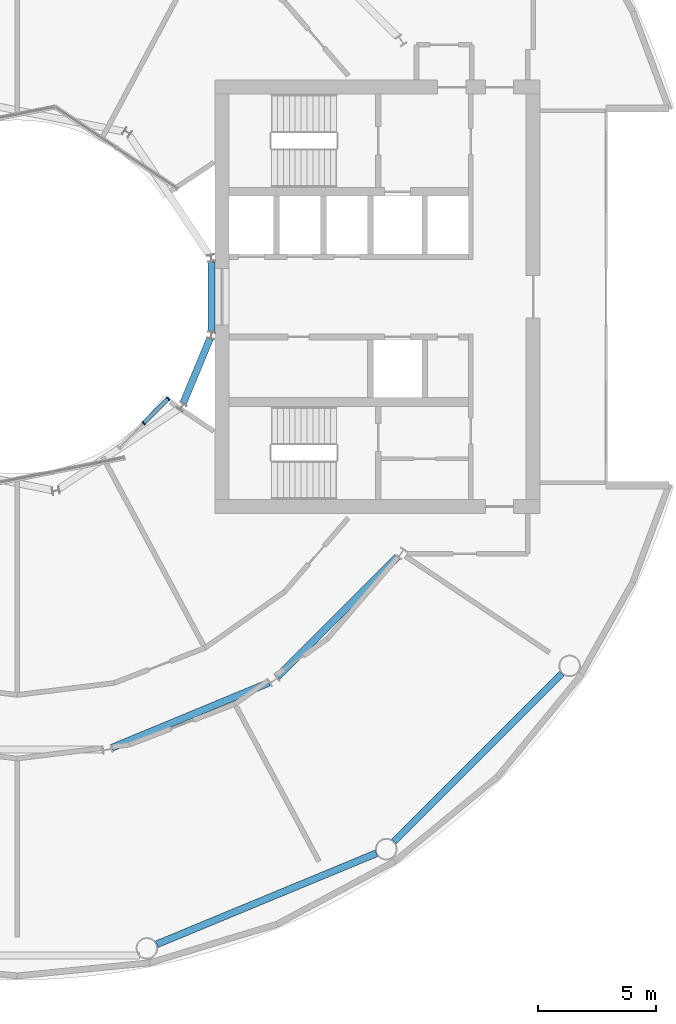
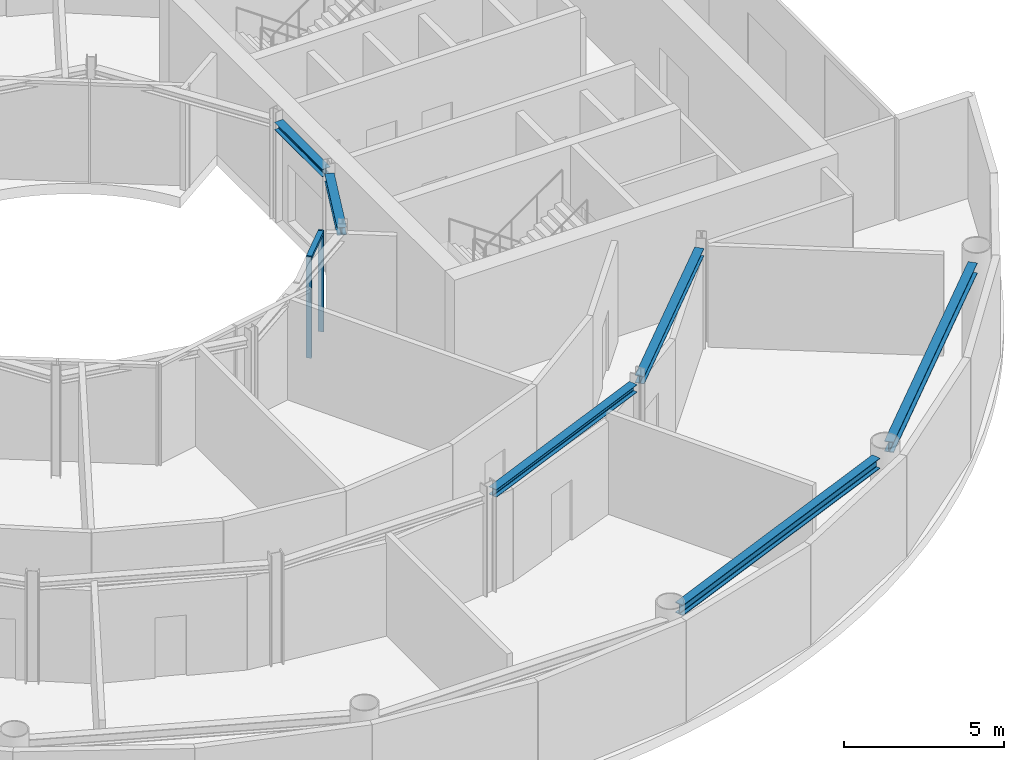
# One storey, part 7 of 18: 6 beams, 3 members, 1 element without a shape of its own.
"""IFC4 building model written with IfcOpenShell, lengths in metres."""

from ifc_helpers import new_model, si_unit, direction, frame, origin, origin_2d, place, context, subcontext, project, spatial, rectangle, i_section, extrude, material, layer, layer_set, material_profile, profile_set, type_object, element, aggregate, save


model = new_model("IFC4")

# Units and contexts
model_context = context("Model", 3, precision=1e-05, world=origin(), true_north=direction((0.0, 1.0)))
body_context = subcontext(model_context, "Body", "Model", "MODEL_VIEW")
ifc_project = project(units=[si_unit("LENGTHUNIT", "METRE"), si_unit("AREAUNIT", "SQUARE_METRE"), si_unit("VOLUMEUNIT", "CUBIC_METRE"), si_unit("PLANEANGLEUNIT", "RADIAN"), si_unit("MASSUNIT", "GRAM", prefix="KILO")], contexts=[model_context])

# Site, building, storey
site_placement = place(None, origin())
site = spatial("IfcSite", under=ifc_project, at=site_placement, CompositionType="ELEMENT")
building_placement = place(site_placement, origin())
building = spatial("IfcBuilding", under=site, at=building_placement, Name="Maasbend Ring Residences", CompositionType="ELEMENT")
storey_placement = place(building_placement, frame((0.0, 0.0, 103.25)))
storey = spatial("IfcBuildingStorey", under=building, at=storey_placement, Name="L29", CompositionType="ELEMENT", Elevation=103.25)

# Curtain wall, members
ifc_material_1 = material(Name="Aluminium and clear glass", Category="aluminium")
ifc_layer = layer(ifc_material_1, 0.179931640625)
ifc_layer_set = layer_set([ifc_layer], Name="CW-W")
curtain_wall_type = type_object("IfcCurtainWallType", Name="CW-W", PredefinedType="NOTDEFINED", material=ifc_layer_set)
curtain_wall_placement = place(storey_placement, origin())
curtain_wall = element("IfcCurtainWall", 1, at=curtain_wall_placement, inside=storey, type_object=curtain_wall_type, Name="Well curtain wall S3", PredefinedType="NOTDEFINED")
ifc_material_2 = material(Name="Aluminium 6063-T6", Category="aluminium")
ifc_material_profile_1 = material_profile(ifc_material_2, rectangle(XDim=0.179931640625, YDim=0.06005859375, at=origin_2d()), Name="AL 180x60")
ifc_profile_set_1 = profile_set([ifc_material_profile_1], Name="Aluminium 6063-T6")
member_type_1 = type_object("IfcMemberType", Name="CWM-W", PredefinedType="MULLION", material=ifc_profile_set_1)
member_1_placement = place(storey_placement, frame((5.366943359375, -5.366943359375, 0.0), z_axis=(0.0, 0.0, 1.0), x_axis=(-0.707106781187, 0.707106781187, 0.0)))
member_1 = element("IfcMember", 2, at=member_1_placement, type_object=member_type_1, Name="Mullion well face", PredefinedType="MULLION", context=body_context, shape_type="SweptSolid", body=[
    extrude(rectangle(XDim=0.179931640625, YDim=0.06005859375, at=origin_2d()), origin(), (0.0, 0.0, 1.0), 3.85009765625),
])
member_2_placement = place(storey_placement, frame((6.413330078125, -4.320556640625, 0.0), z_axis=(0.0, 0.0, 1.0), x_axis=(-0.707106781187, 0.707106781187, 0.0)))
member_2 = element("IfcMember", 3, at=member_2_placement, type_object=member_type_1, Name="Mullion well face", PredefinedType="MULLION", context=body_context, shape_type="SweptSolid", body=[
    extrude(rectangle(XDim=0.179931640625, YDim=0.06005859375, at=origin_2d()), origin(), (0.0, 0.0, 1.0), 3.85009765625),
])
ifc_material_3 = material(Name="Aluminium 6063-T6", Category="aluminium")
ifc_material_profile_2 = material_profile(ifc_material_3, rectangle(XDim=0.179931640625, YDim=0.1201171875, at=origin_2d()), Name="AL 180x120")
ifc_profile_set_2 = profile_set([ifc_material_profile_2], Name="Aluminium 6063-T6")
member_type_2 = type_object("IfcMemberType", Name="CWT-W", PredefinedType="USERDEFINED", material=ifc_profile_set_2)
member_3_placement = place(storey_placement, frame((5.38818359375, -5.345703125, 3.7900390625), z_axis=(0.707106781187, 0.707106781187, 0.0), x_axis=(-0.707106781187, 0.707106781187, 0.0)))
member_3 = element("IfcMember", 4, at=member_3_placement, type_object=member_type_2, Name="Transom well face", ObjectType="TRANSOM", PredefinedType="USERDEFINED", context=body_context, shape_type="SweptSolid", body=[
    extrude(rectangle(XDim=0.179931640625, YDim=0.1201171875, at=origin_2d()), origin(), (0.0, 0.0, 1.0), 1.419677734375),
])
aggregate(curtain_wall, [member_1, member_2, member_3])

# Beams
ifc_material_4 = material(Name="Steel S355J2", Category="steel")
ifc_material_profile_3 = material_profile(ifc_material_4, i_section(OverallWidth=0.300048828125, OverallDepth=0.2900390625, WebThickness=0.008544921875, FlangeThickness=0.013916015625, FilletRadius=0.027099609375, at=origin_2d()), Name="HEA 300")
ifc_profile_set_3 = profile_set([ifc_material_profile_3], Name="Steel S355J2")
beam_type_1 = type_object("IfcBeamType", Name="Corridor ring beam HEA 300", PredefinedType="BEAM", material=ifc_profile_set_3)
for number, where, z_axis, x_axis, name in (
    (5, (4.02734375, -19.13916015625, 3.705078125), (0.923877693919, 0.382687871089, 0.0), (-0.382687871089, 0.923877693919, 0.0), "Corridor ring beam"),
    (6, (11.044921875, -16.14111328125, 3.705078125), (0.707106781187, 0.707106781187, 0.0), (-0.707106781187, 0.707106781187, 0.0), "Corridor ring beam"),
):
    element("IfcBeam", number, at=place(storey_placement, frame(where, z_axis=z_axis, x_axis=x_axis)), inside=storey, type_object=beam_type_1, Name=name, PredefinedType="BEAM", context=body_context, shape_type="SweptSolid", body=[
        extrude(i_section(OverallWidth=0.300048828125, OverallDepth=0.2900390625, WebThickness=0.008544921875, FlangeThickness=0.013916015625, FilletRadius=0.027099609375, at=origin_2d()), origin(), (0.0, 0.0, 1.0), 7.20703125),
    ])
ifc_material_5 = material(Name="Steel S355J2", Category="steel")
ifc_material_profile_4 = material_profile(ifc_material_5, i_section(OverallWidth=0.300048828125, OverallDepth=0.39990234375, WebThickness=0.013427734375, FlangeThickness=0.02392578125, FilletRadius=0.027099609375, at=origin_2d()), Name="HEB 400")
ifc_profile_set_4 = profile_set([ifc_material_profile_4], Name="Steel S355J2")
beam_type_2 = type_object("IfcBeamType", Name="Spandrel ring beam HEB 400", PredefinedType="SPANDREL", material=ifc_profile_set_4)
for number, where, z_axis, x_axis, name in (
    (7, (5.923583984375, -27.483154296875, 3.64990234375), (0.92388529709, 0.382669515144, 0.0), (-0.382669515144, 0.92388529709, 0.0), "Spandrel ring beam"),
    (8, (15.990234375, -23.124267578125, 3.64990234375), (0.707106781187, 0.707106781187, 0.0), (-0.707106781187, 0.707106781187, 0.0), "Spandrel ring beam"),
):
    element("IfcBeam", number, at=place(storey_placement, frame(where, z_axis=z_axis, x_axis=x_axis)), inside=storey, type_object=beam_type_2, Name=name, PredefinedType="SPANDREL", context=body_context, shape_type="SweptSolid", body=[
        extrude(i_section(OverallWidth=0.300048828125, OverallDepth=0.39990234375, WebThickness=0.013427734375, FlangeThickness=0.02392578125, FilletRadius=0.027099609375, at=origin_2d()), origin(), (0.0, 0.0, 1.0), 10.089111328125),
    ])
ifc_material_6 = material(Name="Steel S355J2", Category="steel")
ifc_material_profile_5 = material_profile(ifc_material_6, i_section(OverallWidth=0.300048828125, OverallDepth=0.2900390625, WebThickness=0.008544921875, FlangeThickness=0.013916015625, FilletRadius=0.027099609375, at=origin_2d()), Name="HEA 300")
ifc_profile_set_5 = profile_set([ifc_material_profile_5], Name="Steel S355J2")
beam_type_3 = type_object("IfcBeamType", Name="Well edge beam HEA 300", PredefinedType="BEAM", material=ifc_profile_set_5)
for number, where, z_axis, x_axis, name in (
    (9, (7.042724609375, -4.525390625, 3.705078125), (0.382765370874, 0.923845588212, 0.0), (-0.923845588212, 0.382765370874, 0.0), "Well edge beam"),
    (10, (8.238525390625, -1.48583984375, 3.705078125), (0.0, 1.0, 0.0), (-1.0, 0.0, 0.0), "Well edge beam"),
):
    element("IfcBeam", number, at=place(storey_placement, frame(where, z_axis=z_axis, x_axis=x_axis)), inside=storey, type_object=beam_type_3, Name=name, PredefinedType="BEAM", context=body_context, shape_type="SweptSolid", body=[
        extrude(i_section(OverallWidth=0.300048828125, OverallDepth=0.2900390625, WebThickness=0.008544921875, FlangeThickness=0.013916015625, FilletRadius=0.027099609375, at=origin_2d()), origin(), (0.0, 0.0, 1.0), 2.9716796875),
    ])

save(model, "model.ifc")
